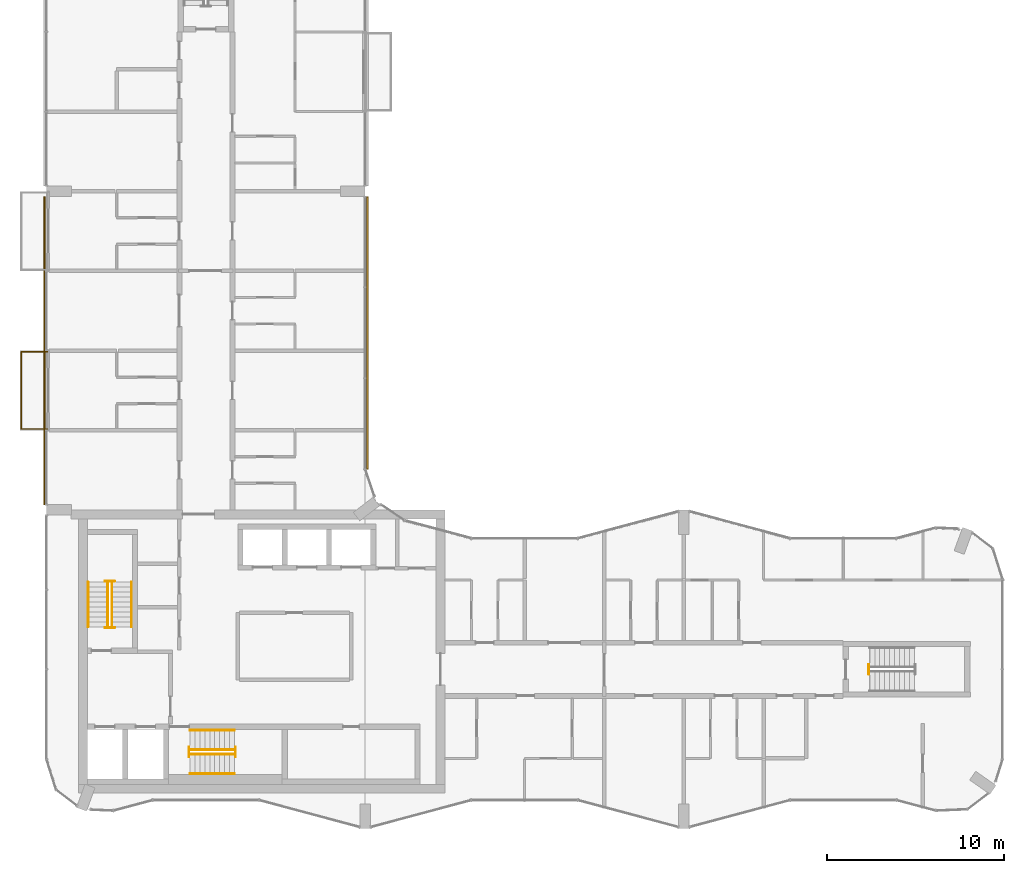
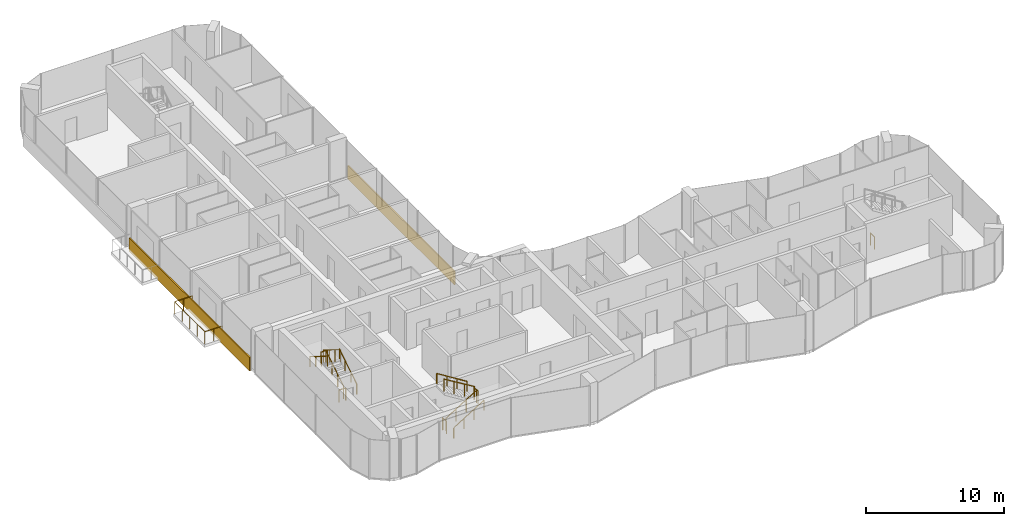
# One storey, part 14 of 16: 14 railings, 2 coverings.
"""IFC4 building model written with IfcOpenShell, lengths in metres."""

from ifc_helpers import new_model, si_unit, direction, frame, origin, origin_2d, place, context, subcontext, project, spatial, rectangle, circle, extrude, material, layer, layer_set, type_object, element, save


model = new_model("IFC4")

# Units and contexts
model_context = context("Model", 3, precision=1e-05, world=origin(), true_north=direction((0.0, 1.0)))
body_context = subcontext(model_context, "Body", "Model", "MODEL_VIEW")
ifc_project = project(units=[si_unit("LENGTHUNIT", "METRE"), si_unit("AREAUNIT", "SQUARE_METRE"), si_unit("VOLUMEUNIT", "CUBIC_METRE"), si_unit("PLANEANGLEUNIT", "RADIAN"), si_unit("MASSUNIT", "GRAM", prefix="KILO")], contexts=[model_context])

# Site, building, storey
site_placement = place(None, origin())
site = spatial("IfcSite", under=ifc_project, at=site_placement, CompositionType="ELEMENT")
building_placement = place(site_placement, origin())
building = spatial("IfcBuilding", under=site, at=building_placement, Name="Plateau Cross Towers", CompositionType="ELEMENT")
storey_placement = place(building_placement, frame((0.0, 0.0, 215.39990234375)))
storey = spatial("IfcBuildingStorey", under=building, at=storey_placement, Name="L56", CompositionType="ELEMENT", Elevation=215.39990234375)

# Railings
ifc_material_1 = material(Name="Stainless steel and toughened glass", Category="steel")
railing_type_1 = type_object("IfcRailingType", Name="Glass balustrade guard 1100", PredefinedType="GUARDRAIL", material=ifc_material_1)
railing_1_placement = place(storey_placement, frame((0.050048828125, 22.570068359375, 0.0)))
element("IfcRailing", 1, at=railing_1_placement, inside=storey, type_object=railing_type_1, Name="Guard guard1", PredefinedType="GUARDRAIL", context=body_context, shape_type="SweptSolid", body=[
    extrude(circle(Radius=0.02392578125, at=origin_2d()), frame((0.0, 0.0, 1.076171875), z_axis=(-1.0, 0.0, 0.0), x_axis=(0.0, -1.0, 0.0)), (0.0, 0.0, 1.0), 1.47998046875),
    extrude(circle(Radius=0.02392578125, at=origin_2d()), frame((-1.47998046875, 0.0, 1.076171875), z_axis=(0.0, 1.0, 0.0), x_axis=(-1.0, 0.0, 0.0)), (0.0, 0.0, 1.0), 4.35986328125),
    extrude(circle(Radius=0.02392578125, at=origin_2d()), frame((-1.47998046875, 4.35986328125, 1.076171875), z_axis=(1.0, 0.0, 0.0), x_axis=(0.0, 1.0, 0.0)), (0.0, 0.0, 1.0), 1.47998046875),
    extrude(circle(Radius=0.02099609375, at=origin_2d()), origin(), (0.0, 0.0, 1.0), 1.052001953125),
    extrude(circle(Radius=0.02099609375, at=origin_2d()), frame((-0.739990234375, 0.0, 0.0)), (0.0, 0.0, 1.0), 1.052001953125),
    extrude(circle(Radius=0.02099609375, at=origin_2d()), frame((-1.47998046875, 0.0, 0.0)), (0.0, 0.0, 1.0), 1.052001953125),
    extrude(circle(Radius=0.02099609375, at=origin_2d()), frame((-1.47998046875, 1.08984375, 0.0)), (0.0, 0.0, 1.0), 1.052001953125),
    extrude(circle(Radius=0.02099609375, at=origin_2d()), frame((-1.47998046875, 2.179931640625, 0.0)), (0.0, 0.0, 1.0), 1.052001953125),
    extrude(circle(Radius=0.02099609375, at=origin_2d()), frame((-1.47998046875, 3.27001953125, 0.0)), (0.0, 0.0, 1.0), 1.052001953125),
    extrude(circle(Radius=0.02099609375, at=origin_2d()), frame((-1.47998046875, 4.35986328125, 0.0)), (0.0, 0.0, 1.0), 1.052001953125),
    extrude(circle(Radius=0.02099609375, at=origin_2d()), frame((-0.739990234375, 4.35986328125, 0.0)), (0.0, 0.0, 1.0), 1.052001953125),
    extrude(circle(Radius=0.02099609375, at=origin_2d()), frame((0.0, 4.35986328125, 0.0)), (0.0, 0.0, 1.0), 1.052001953125),
])
railing_type_2 = type_object("IfcRailingType", Name="RL-GUARD-1100", PredefinedType="GUARDRAIL", material=ifc_material_1)
railing_2_placement = place(storey_placement, frame((3.699951171875, 11.39990234375, 0.175048828125)))
element("IfcRailing", 2, at=railing_2_placement, inside=storey, type_object=railing_type_2, Name="L56 ST-1 stair guard 1", PredefinedType="GUARDRAIL", context=body_context, shape_type="SweptSolid", body=[
    extrude(circle(Radius=0.02392578125, at=origin_2d()), frame((0.0, 0.0, 1.076171875), z_axis=(0.0, 0.848007534815, 0.529984170421), x_axis=(-1.0, 0.0, 0.0)), (0.0, 0.0, 1.0), 2.9716796875),
    extrude(circle(Radius=0.02099609375, at=origin_2d()), origin(), (0.0, 0.0, 1.0), 1.052001953125),
    extrude(circle(Radius=0.02099609375, at=origin_2d()), frame((0.0, 0.840087890625, 0.52490234375)), (0.0, 0.0, 1.0), 1.052001953125),
    extrude(circle(Radius=0.02099609375, at=origin_2d()), frame((0.0, 1.679931640625, 1.050048828125)), (0.0, 0.0, 1.0), 1.052001953125),
    extrude(circle(Radius=0.02099609375, at=origin_2d()), frame((0.0, 2.52001953125, 1.574951171875)), (0.0, 0.0, 1.0), 1.052001953125),
])
railing_3_placement = place(storey_placement, frame((3.85009765625, 13.969970703125, 1.75)))
element("IfcRailing", 3, at=railing_3_placement, inside=storey, type_object=railing_type_2, Name="L56 ST-1 stair guard 2", PredefinedType="GUARDRAIL", context=body_context, shape_type="SweptSolid", body=[
    extrude(circle(Radius=0.02392578125, at=origin_2d()), frame((0.0, 0.0, 1.076171875), z_axis=(-1.0, 0.0, 0.0), x_axis=(0.0, -1.0, 0.0)), (0.0, 0.0, 1.0), 0.550048828125),
    extrude(circle(Radius=0.02099609375, at=origin_2d()), origin(), (0.0, 0.0, 1.0), 1.052001953125),
    extrude(circle(Radius=0.02099609375, at=origin_2d()), frame((-0.550048828125, 0.0, 0.0)), (0.0, 0.0, 1.0), 1.052001953125),
])
railing_4_placement = place(storey_placement, frame((3.449951171875, 13.919921875, 1.925048828125)))
element("IfcRailing", 4, at=railing_4_placement, inside=storey, type_object=railing_type_2, Name="L56 ST-1 stair guard 3", PredefinedType="GUARDRAIL", context=body_context, shape_type="SweptSolid", body=[
    extrude(circle(Radius=0.02392578125, at=origin_2d()), frame((0.0, 0.0, 1.076171875), z_axis=(0.0, -0.852616386126, 0.522537365276), x_axis=(1.0, 0.0, 0.0)), (0.0, 0.0, 1.0), 3.01416015625),
    extrude(circle(Radius=0.02099609375, at=origin_2d()), origin(), (0.0, 0.0, 1.0), 1.052001953125),
    extrude(circle(Radius=0.02099609375, at=origin_2d()), frame((0.0, -0.856689453125, 0.52490234375)), (0.0, 0.0, 1.0), 1.052001953125),
    extrude(circle(Radius=0.02099609375, at=origin_2d()), frame((0.0, -1.713134765625, 1.050048828125)), (0.0, 0.0, 1.0), 1.052001953125),
    extrude(circle(Radius=0.02099609375, at=origin_2d()), frame((0.0, -2.56982421875, 1.574951171875)), (0.0, 0.0, 1.0), 1.052001953125),
])
railing_5_placement = place(storey_placement, frame((3.85009765625, 11.35009765625, 0.0)))
element("IfcRailing", 5, at=railing_5_placement, inside=storey, type_object=railing_type_2, Name="L56 ST-1 stair guard 4", PredefinedType="GUARDRAIL", context=body_context, shape_type="SweptSolid", body=[
    extrude(circle(Radius=0.02392578125, at=origin_2d()), frame((0.0, 0.0, 1.076171875), z_axis=(-1.0, 0.0, 0.0), x_axis=(0.0, -1.0, 0.0)), (0.0, 0.0, 1.0), 0.550048828125),
    extrude(circle(Radius=0.02099609375, at=origin_2d()), origin(), (0.0, 0.0, 1.0), 1.052001953125),
    extrude(circle(Radius=0.02099609375, at=origin_2d()), frame((-0.550048828125, 0.0, 0.0)), (0.0, 0.0, 1.0), 1.052001953125),
])
railing_6_placement = place(storey_placement, frame((8.10009765625, 4.199951171875, 0.175048828125)))
element("IfcRailing", 6, at=railing_6_placement, inside=storey, type_object=railing_type_2, Name="L56 ST-2 stair guard 1", PredefinedType="GUARDRAIL", context=body_context, shape_type="SweptSolid", body=[
    extrude(circle(Radius=0.02392578125, at=origin_2d()), frame((0.0, 0.0, 1.076171875), z_axis=(0.848007534815, 0.0, 0.529984170421), x_axis=(0.0, 1.0, 0.0)), (0.0, 0.0, 1.0), 2.9716796875),
    extrude(circle(Radius=0.02099609375, at=origin_2d()), origin(), (0.0, 0.0, 1.0), 1.052001953125),
    extrude(circle(Radius=0.02099609375, at=origin_2d()), frame((0.840087890625, 0.0, 0.52490234375)), (0.0, 0.0, 1.0), 1.052001953125),
    extrude(circle(Radius=0.02099609375, at=origin_2d()), frame((1.679931640625, 0.0, 1.050048828125)), (0.0, 0.0, 1.0), 1.052001953125),
    extrude(circle(Radius=0.02099609375, at=origin_2d()), frame((2.52001953125, 0.0, 1.574951171875)), (0.0, 0.0, 1.0), 1.052001953125),
])
railing_7_placement = place(storey_placement, frame((10.669921875, 4.050048828125, 1.75)))
element("IfcRailing", 7, at=railing_7_placement, inside=storey, type_object=railing_type_2, Name="L56 ST-2 stair guard 2", PredefinedType="GUARDRAIL", context=body_context, shape_type="SweptSolid", body=[
    extrude(circle(Radius=0.02392578125, at=origin_2d()), frame((0.0, 0.0, 1.076171875), z_axis=(0.0, 1.0, 0.0), x_axis=(-1.0, 0.0, 0.0)), (0.0, 0.0, 1.0), 0.550048828125),
    extrude(circle(Radius=0.02099609375, at=origin_2d()), origin(), (0.0, 0.0, 1.0), 1.052001953125),
    extrude(circle(Radius=0.02099609375, at=origin_2d()), frame((0.0, 0.550048828125, 0.0)), (0.0, 0.0, 1.0), 1.052001953125),
])
railing_8_placement = place(storey_placement, frame((10.6201171875, 4.449951171875, 1.925048828125)))
element("IfcRailing", 8, at=railing_8_placement, inside=storey, type_object=railing_type_2, Name="L56 ST-2 stair guard 3", PredefinedType="GUARDRAIL", context=body_context, shape_type="SweptSolid", body=[
    extrude(circle(Radius=0.02392578125, at=origin_2d()), frame((0.0, 0.0, 1.076171875), z_axis=(-0.852638500773, 0.0, 0.522501279423), x_axis=(0.0, -1.0, 0.0)), (0.0, 0.0, 1.0), 3.01416015625),
    extrude(circle(Radius=0.02099609375, at=origin_2d()), origin(), (0.0, 0.0, 1.0), 1.052001953125),
    extrude(circle(Radius=0.02099609375, at=origin_2d()), frame((-0.856689453125, 0.0, 0.52490234375)), (0.0, 0.0, 1.0), 1.052001953125),
    extrude(circle(Radius=0.02099609375, at=origin_2d()), frame((-1.71337890625, 0.0, 1.050048828125)), (0.0, 0.0, 1.0), 1.052001953125),
    extrude(circle(Radius=0.02099609375, at=origin_2d()), frame((-2.570068359375, 0.0, 1.574951171875)), (0.0, 0.0, 1.0), 1.052001953125),
])
railing_9_placement = place(storey_placement, frame((8.050048828125, 4.050048828125, 0.0)))
element("IfcRailing", 9, at=railing_9_placement, inside=storey, type_object=railing_type_2, Name="L56 ST-2 stair guard 4", PredefinedType="GUARDRAIL", context=body_context, shape_type="SweptSolid", body=[
    extrude(circle(Radius=0.02392578125, at=origin_2d()), frame((0.0, 0.0, 1.076171875), z_axis=(0.0, 1.0, 0.0), x_axis=(-1.0, 0.0, 0.0)), (0.0, 0.0, 1.0), 0.550048828125),
    extrude(circle(Radius=0.02099609375, at=origin_2d()), origin(), (0.0, 0.0, 1.0), 1.052001953125),
    extrude(circle(Radius=0.02099609375, at=origin_2d()), frame((0.0, 0.550048828125, 0.0)), (0.0, 0.0, 1.0), 1.052001953125),
])
railing_10_placement = place(storey_placement, frame((46.449951171875, 8.72509765625, 0.0)))
element("IfcRailing", 10, at=railing_10_placement, inside=storey, type_object=railing_type_2, Name="L56 ES-E stair guard 4", PredefinedType="GUARDRAIL", context=body_context, shape_type="SweptSolid", body=[
    extrude(circle(Radius=0.02392578125, at=origin_2d()), frame((0.0, 0.0, 1.076171875), z_axis=(0.0, 1.0, 0.0), x_axis=(-1.0, 0.0, 0.0)), (0.0, 0.0, 1.0), 0.5498046875),
    extrude(circle(Radius=0.02099609375, at=origin_2d()), origin(), (0.0, 0.0, 1.0), 1.052001953125),
    extrude(circle(Radius=0.02099609375, at=origin_2d()), frame((0.0, 0.5498046875, 0.0)), (0.0, 0.0, 1.0), 1.052001953125),
])
ifc_material_2 = material(Name="Black anodised aluminium", Category="aluminium")
railing_type_3 = type_object("IfcRailingType", Name="RL-HANDRAIL-900", PredefinedType="HANDRAIL", material=ifc_material_2)
railing_11_placement = place(storey_placement, frame((4.800048828125, 11.39990234375, 0.175048828125)))
element("IfcRailing", 11, at=railing_11_placement, inside=storey, type_object=railing_type_3, Name="L56 ST-1 stair handrail 1", PredefinedType="HANDRAIL", context=body_context, shape_type="SweptSolid", body=[
    extrude(circle(Radius=0.02392578125, at=origin_2d()), frame((0.0, 0.0, 0.8759765625), z_axis=(0.0, 0.848007534815, 0.529984170421), x_axis=(-1.0, 0.0, 0.0)), (0.0, 0.0, 1.0), 2.9716796875),
    extrude(circle(Radius=0.02099609375, at=origin_2d()), origin(), (0.0, 0.0, 1.0), 0.851806640625),
    extrude(circle(Radius=0.02099609375, at=origin_2d()), frame((0.0, 0.840087890625, 0.52490234375)), (0.0, 0.0, 1.0), 0.851806640625),
    extrude(circle(Radius=0.02099609375, at=origin_2d()), frame((0.0, 1.679931640625, 1.050048828125)), (0.0, 0.0, 1.0), 0.851806640625),
    extrude(circle(Radius=0.02099609375, at=origin_2d()), frame((0.0, 2.52001953125, 1.574951171875)), (0.0, 0.0, 1.0), 0.851806640625),
])
railing_12_placement = place(storey_placement, frame((2.35009765625, 13.919921875, 1.925048828125)))
element("IfcRailing", 12, at=railing_12_placement, inside=storey, type_object=railing_type_3, Name="L56 ST-1 stair handrail 2", PredefinedType="HANDRAIL", context=body_context, shape_type="SweptSolid", body=[
    extrude(circle(Radius=0.02392578125, at=origin_2d()), frame((0.0, 0.0, 0.8759765625), z_axis=(0.0, -0.848007534815, 0.529984170421), x_axis=(1.0, 0.0, 0.0)), (0.0, 0.0, 1.0), 2.9716796875),
    extrude(circle(Radius=0.02099609375, at=origin_2d()), origin(), (0.0, 0.0, 1.0), 0.851806640625),
    extrude(circle(Radius=0.02099609375, at=origin_2d()), frame((0.0, -0.840087890625, 0.52490234375)), (0.0, 0.0, 1.0), 0.851806640625),
    extrude(circle(Radius=0.02099609375, at=origin_2d()), frame((0.0, -1.679931640625, 1.050048828125)), (0.0, 0.0, 1.0), 0.851806640625),
    extrude(circle(Radius=0.02099609375, at=origin_2d()), frame((0.0, -2.52001953125, 1.574951171875)), (0.0, 0.0, 1.0), 0.851806640625),
])
railing_13_placement = place(storey_placement, frame((8.10009765625, 3.10009765625, 0.175048828125)))
element("IfcRailing", 13, at=railing_13_placement, inside=storey, type_object=railing_type_3, Name="L56 ST-2 stair handrail 1", PredefinedType="HANDRAIL", context=body_context, shape_type="SweptSolid", body=[
    extrude(circle(Radius=0.02392578125, at=origin_2d()), frame((0.0, 0.0, 0.8759765625), z_axis=(0.848007534815, 0.0, 0.529984170421), x_axis=(0.0, 1.0, 0.0)), (0.0, 0.0, 1.0), 2.9716796875),
    extrude(circle(Radius=0.02099609375, at=origin_2d()), origin(), (0.0, 0.0, 1.0), 0.851806640625),
    extrude(circle(Radius=0.02099609375, at=origin_2d()), frame((0.840087890625, 0.0, 0.52490234375)), (0.0, 0.0, 1.0), 0.851806640625),
    extrude(circle(Radius=0.02099609375, at=origin_2d()), frame((1.679931640625, 0.0, 1.050048828125)), (0.0, 0.0, 1.0), 0.851806640625),
    extrude(circle(Radius=0.02099609375, at=origin_2d()), frame((2.52001953125, 0.0, 1.574951171875)), (0.0, 0.0, 1.0), 0.851806640625),
])
railing_14_placement = place(storey_placement, frame((10.6201171875, 5.550048828125, 1.925048828125)))
element("IfcRailing", 14, at=railing_14_placement, inside=storey, type_object=railing_type_3, Name="L56 ST-2 stair handrail 2", PredefinedType="HANDRAIL", context=body_context, shape_type="SweptSolid", body=[
    extrude(circle(Radius=0.02392578125, at=origin_2d()), frame((0.0, 0.0, 0.8759765625), z_axis=(-0.848007534815, 0.0, 0.529984170421), x_axis=(0.0, -1.0, 0.0)), (0.0, 0.0, 1.0), 2.9716796875),
    extrude(circle(Radius=0.02099609375, at=origin_2d()), origin(), (0.0, 0.0, 1.0), 0.851806640625),
    extrude(circle(Radius=0.02099609375, at=origin_2d()), frame((-0.840087890625, 0.0, 0.52490234375)), (0.0, 0.0, 1.0), 0.851806640625),
    extrude(circle(Radius=0.02099609375, at=origin_2d()), frame((-1.679931640625, 0.0, 1.050048828125)), (0.0, 0.0, 1.0), 0.851806640625),
    extrude(circle(Radius=0.02099609375, at=origin_2d()), frame((-2.52001953125, 0.0, 1.574951171875)), (0.0, 0.0, 1.0), 0.851806640625),
])

# Coverings
ifc_material_3 = material(Name="Precast concrete cladding C40/50", Category="concrete")
ifc_layer = layer(ifc_material_3, 0.10009765625)
ifc_layer_set = layer_set([ifc_layer], Name="Precast concrete cladding C40/50")
covering_type = type_object("IfcCoveringType", Name="Spandrel band cladding 100x1200", PredefinedType="CLADDING", material=ifc_layer_set)
covering_1_placement = place(storey_placement, frame((18.1201171875, 28.001220703125, -0.25), z_axis=(0.0, 0.0, 1.0), x_axis=(0.0, 1.0, 0.0)))
element("IfcCovering", 15, at=covering_1_placement, inside=storey, type_object=covering_type, Name="Spandrel band", PredefinedType="CLADDING", context=body_context, shape_type="SweptSolid", body=[
    extrude(rectangle(XDim=15.397705078125, YDim=0.10009765625, at=origin_2d()), origin(), (0.0, 0.0, 1.0), 1.199951171875),
])
covering_2_placement = place(storey_placement, frame((-0.1201171875, 27.0, -0.25), z_axis=(0.0, 0.0, 1.0), x_axis=(0.0, -1.0, 0.0)))
element("IfcCovering", 16, at=covering_2_placement, inside=storey, type_object=covering_type, Name="Spandrel band", PredefinedType="CLADDING", context=body_context, shape_type="SweptSolid", body=[
    extrude(rectangle(XDim=17.39990234375, YDim=0.10009765625, at=origin_2d()), origin(), (0.0, 0.0, 1.0), 1.199951171875),
])

save(model, "model.ifc")
